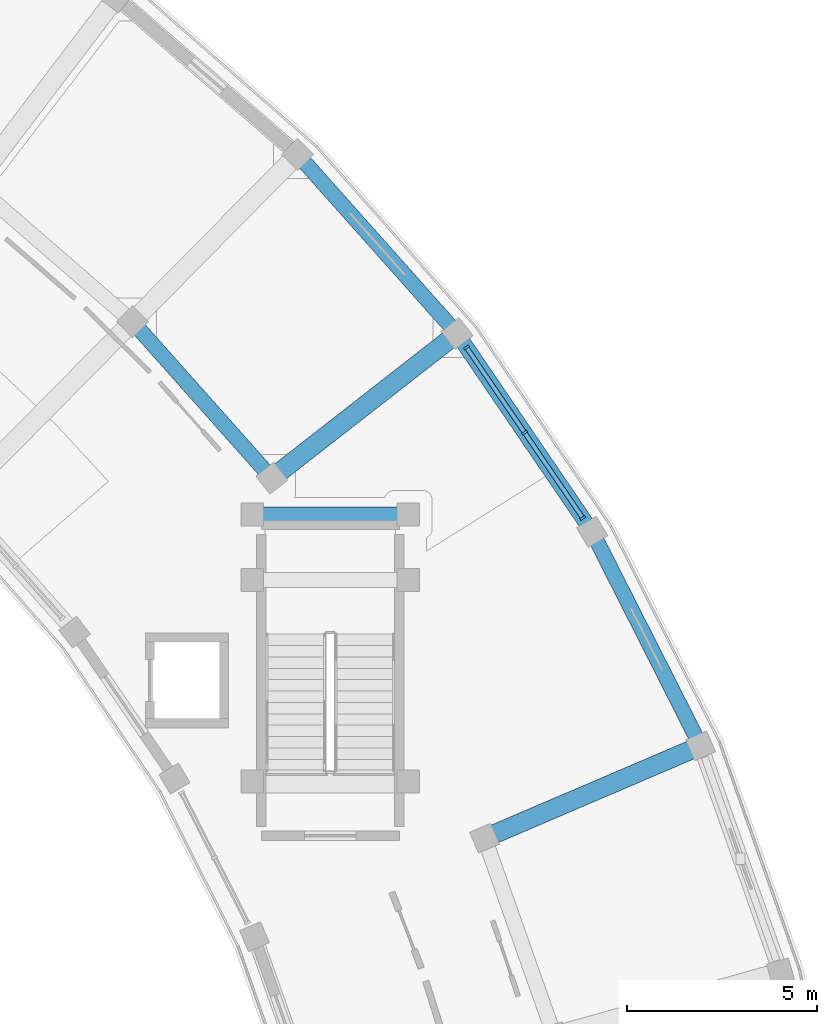
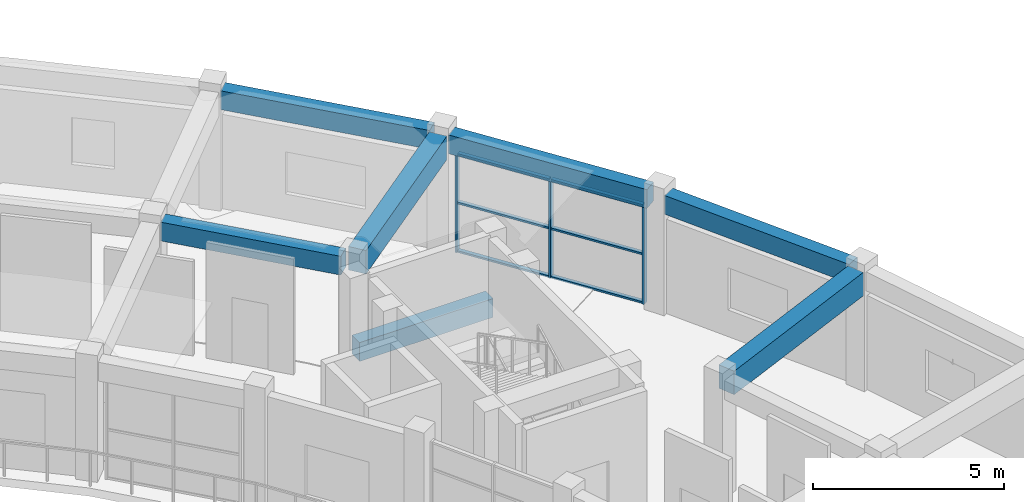
# One storey, part 26 of 53: 9 members, 7 beams, 1 element without a shape of its own.
"""IFC4 building model written with IfcOpenShell, lengths in metres."""

from ifc_helpers import new_model, si_unit, direction, frame, origin, origin_2d, place, context, subcontext, project, spatial, rectangle, extrude, material, material_profile, profile_set, type_object, element, aggregate, save


model = new_model("IFC4")

# Units and contexts
model_context = context("Model", 3, precision=1e-05, world=origin(), true_north=direction((0.0, 1.0)))
body_context = subcontext(model_context, "Body", "Model", "MODEL_VIEW")
ifc_project = project(units=[si_unit("LENGTHUNIT", "METRE"), si_unit("AREAUNIT", "SQUARE_METRE"), si_unit("VOLUMEUNIT", "CUBIC_METRE"), si_unit("PLANEANGLEUNIT", "RADIAN"), si_unit("MASSUNIT", "GRAM", prefix="KILO")], contexts=[model_context])

# Site, building, storey
site_placement = place(None, origin())
site = spatial("IfcSite", under=ifc_project, at=site_placement, CompositionType="ELEMENT")
building_placement = place(site_placement, origin())
building = spatial("IfcBuilding", under=site, at=building_placement, Name="Saryqyr Civic Hall", CompositionType="ELEMENT")
storey_placement = place(building_placement, frame((0.0, 0.0, 21.300048828125)))
storey = spatial("IfcBuildingStorey", under=building, at=storey_placement, Name="L05", CompositionType="ELEMENT", Elevation=21.300048828125)

# Curtain wall, members
ifc_material_1 = material(Name="Anodised aluminium and triple low-E glass", Category="aluminium")
curtain_wall_type = type_object("IfcCurtainWallType", Name="ENV-CW-STD-47", PredefinedType="NOTDEFINED", material=ifc_material_1)
curtain_wall_placement = place(storey_placement, origin())
curtain_wall = element("IfcCurtainWall", 1, at=curtain_wall_placement, inside=storey, type_object=curtain_wall_type, Name="Curtain wall V6-CWO-L05-04", PredefinedType="NOTDEFINED")
ifc_material_2 = material(Name="Anodised aluminium", Category="aluminium")
ifc_material_profile_1 = material_profile(ifc_material_2, rectangle(XDim=0.06005859375, YDim=0.159912109375, at=origin_2d()), Name="ALU MULLION 60x160")
ifc_profile_set_1 = profile_set([ifc_material_profile_1], Name="Anodised aluminium")
member_type_1 = type_object("IfcMemberType", Name="ENV-CW-MUL-180", PredefinedType="MULLION", material=ifc_profile_set_1)
member_1_placement = place(storey_placement, frame((95.874267578125, 113.785888671875, 0.0), z_axis=(0.0, 0.0, 1.0), x_axis=(0.563117564, -0.826376796089, 0.0)))
member_1 = element("IfcMember", 2, at=member_1_placement, type_object=member_type_1, Name="CW-47 mullion 1", PredefinedType="MULLION", context=body_context, shape_type="SweptSolid", body=[
    extrude(rectangle(XDim=0.06005859375, YDim=0.159912109375, at=origin_2d()), origin(), (0.0, 0.0, 1.0), 3.1650390625),
])
member_2_placement = place(storey_placement, frame((97.407470703125, 111.53564453125, 0.0), z_axis=(0.0, 0.0, 1.0), x_axis=(0.563117564, -0.826376796089, 0.0)))
member_2 = element("IfcMember", 3, at=member_2_placement, type_object=member_type_1, Name="CW-47 mullion 2", PredefinedType="MULLION", context=body_context, shape_type="SweptSolid", body=[
    extrude(rectangle(XDim=0.06005859375, YDim=0.159912109375, at=origin_2d()), origin(), (0.0, 0.0, 1.0), 3.1650390625),
])
member_3_placement = place(storey_placement, frame((98.94091796875, 109.28564453125, 0.0), z_axis=(0.0, 0.0, 1.0), x_axis=(0.563117564, -0.826376796089, 0.0)))
member_3 = element("IfcMember", 4, at=member_3_placement, type_object=member_type_1, Name="CW-47 mullion 3", PredefinedType="MULLION", context=body_context, shape_type="SweptSolid", body=[
    extrude(rectangle(XDim=0.06005859375, YDim=0.159912109375, at=origin_2d()), origin(), (0.0, 0.0, 1.0), 3.1650390625),
])
ifc_material_profile_2 = material_profile(ifc_material_2, rectangle(XDim=0.1201171875, YDim=0.06005859375, at=origin_2d()), Name="ALU TRANSOM 120x60")
ifc_profile_set_2 = profile_set([ifc_material_profile_2], Name="Anodised aluminium")
member_type_2 = type_object("IfcMemberType", Name="ENV-CW-TRN-150", PredefinedType="USERDEFINED", material=ifc_profile_set_2)
member_4_placement = place(storey_placement, frame((95.89111328125, 113.760986328125, 0.030029296875), z_axis=(0.563134814323, -0.826365040946, 0.0), x_axis=(0.826365040946, 0.563134814323, 0.0)))
member_4 = element("IfcMember", 5, at=member_4_placement, type_object=member_type_2, Name="CW-47 transom 1.1", ObjectType="TRANSOM", PredefinedType="USERDEFINED", context=body_context, shape_type="SweptSolid", body=[
    extrude(rectangle(XDim=0.1201171875, YDim=0.06005859375, at=origin_2d()), origin(), (0.0, 0.0, 1.0), 2.662841796875),
])
member_5_placement = place(storey_placement, frame((95.89111328125, 113.760986328125, 1.5830078125), z_axis=(0.563134814323, -0.826365040946, 0.0), x_axis=(0.826365040946, 0.563134814323, 0.0)))
member_5 = element("IfcMember", 6, at=member_5_placement, type_object=member_type_2, Name="CW-47 transom 1.2", ObjectType="TRANSOM", PredefinedType="USERDEFINED", context=body_context, shape_type="SweptSolid", body=[
    extrude(rectangle(XDim=0.1201171875, YDim=0.06005859375, at=origin_2d()), origin(), (0.0, 0.0, 1.0), 2.662841796875),
])
member_6_placement = place(storey_placement, frame((95.89111328125, 113.760986328125, 3.135009765625), z_axis=(0.563134814323, -0.826365040946, 0.0), x_axis=(0.826365040946, 0.563134814323, 0.0)))
member_6 = element("IfcMember", 7, at=member_6_placement, type_object=member_type_2, Name="CW-47 transom 1.3", ObjectType="TRANSOM", PredefinedType="USERDEFINED", context=body_context, shape_type="SweptSolid", body=[
    extrude(rectangle(XDim=0.1201171875, YDim=0.06005859375, at=origin_2d()), origin(), (0.0, 0.0, 1.0), 2.662841796875),
])
member_7_placement = place(storey_placement, frame((97.424560546875, 111.510986328125, 0.030029296875), z_axis=(0.563072199079, -0.826407707263, 0.0), x_axis=(0.826407707263, 0.563072199079, 0.0)))
member_7 = element("IfcMember", 8, at=member_7_placement, type_object=member_type_2, Name="CW-47 transom 2.1", ObjectType="TRANSOM", PredefinedType="USERDEFINED", context=body_context, shape_type="SweptSolid", body=[
    extrude(rectangle(XDim=0.1201171875, YDim=0.06005859375, at=origin_2d()), origin(), (0.0, 0.0, 1.0), 2.66259765625),
])
member_8_placement = place(storey_placement, frame((97.424560546875, 111.510986328125, 1.5830078125), z_axis=(0.563072199079, -0.826407707263, 0.0), x_axis=(0.826407707263, 0.563072199079, 0.0)))
member_8 = element("IfcMember", 9, at=member_8_placement, type_object=member_type_2, Name="CW-47 transom 2.2", ObjectType="TRANSOM", PredefinedType="USERDEFINED", context=body_context, shape_type="SweptSolid", body=[
    extrude(rectangle(XDim=0.1201171875, YDim=0.06005859375, at=origin_2d()), origin(), (0.0, 0.0, 1.0), 2.66259765625),
])
member_9_placement = place(storey_placement, frame((97.424560546875, 111.510986328125, 3.135009765625), z_axis=(0.563072199079, -0.826407707263, 0.0), x_axis=(0.826407707263, 0.563072199079, 0.0)))
member_9 = element("IfcMember", 10, at=member_9_placement, type_object=member_type_2, Name="CW-47 transom 2.3", ObjectType="TRANSOM", PredefinedType="USERDEFINED", context=body_context, shape_type="SweptSolid", body=[
    extrude(rectangle(XDim=0.1201171875, YDim=0.06005859375, at=origin_2d()), origin(), (0.0, 0.0, 1.0), 2.66259765625),
])
aggregate(curtain_wall, [member_1, member_2, member_3, member_4, member_5, member_6, member_7, member_8, member_9])

# Beams
ifc_material_3 = material(Name="Concrete C35/45", Category="concrete")
ifc_material_profile_3 = material_profile(ifc_material_3, rectangle(XDim=0.39990234375, YDim=0.60009765625, at=origin_2d()), Name="RC 400x600")
ifc_profile_set_3 = profile_set([ifc_material_profile_3], Name="Concrete C35/45")
beam_type_1 = type_object("IfcBeamType", Name="STR-BM-RC400x600", PredefinedType="BEAM", material=ifc_profile_set_3)
beam_1_placement = place(storey_placement, frame((90.555419921875, 110.541015625, 3.489990234375), z_axis=(-0.664939021665, 0.746897648589, 0.0), x_axis=(-0.746897648589, -0.664939021665, 0.0)))
element("IfcBeam", 11, at=beam_1_placement, inside=storey, type_object=beam_type_1, Name="Beam V6-CBM-MID05-L05", PredefinedType="BEAM", context=body_context, shape_type="SweptSolid", body=[
    extrude(rectangle(XDim=0.39990234375, YDim=0.60009765625, at=origin_2d()), origin(), (0.0, 0.0, 1.0), 4.9775390625),
])
beam_2_placement = place(storey_placement, frame((94.300048828125, 109.3798828125, 1.52490234375), z_axis=(-1.0, 0.0, 0.0), x_axis=(0.0, -1.0, 0.0)))
element("IfcBeam", 12, at=beam_2_placement, inside=storey, type_object=beam_type_1, Name="Stair half-landing support beam ST-6-LND2-L05", PredefinedType="BEAM", context=body_context, shape_type="SweptSolid", body=[
    extrude(rectangle(XDim=0.39990234375, YDim=0.60009765625, at=origin_2d()), origin(), (0.0, 0.0, 1.0), 4.0400390625),
])
ifc_material_profile_4 = material_profile(ifc_material_3, rectangle(XDim=0.39990234375, YDim=0.60009765625, at=origin_2d()), Name="RC 400x600")
ifc_profile_set_4 = profile_set([ifc_material_profile_4], Name="Concrete C35/45")
beam_type_2 = type_object("IfcBeamType", Name="STR-BM-RC400x600-EXT", PredefinedType="BEAM", material=ifc_profile_set_4)
for number, where, z_axis, x_axis, name in (
    (13, (101.925048828125, 103.52099609375, 3.489990234375), (-0.451922654691, 0.892057124952, 0.0), (-0.892057124952, -0.451922654691, 0.0), "Beam V6-CBM-OUT03-L05"),
    (14, (99.034423828125, 109.148193359375, 3.489990234375), (-0.563115242299, 0.82637837816, 0.0), (-0.82637837816, -0.563115242299, 0.0), "Beam V6-CBM-OUT04-L05"),
    (15, (95.44287109375, 114.35595703125, 3.489990234375), (-0.664935334845, 0.74690093083, 0.0), (-0.74690093083, -0.664935334845, 0.0), "Beam V6-CBM-OUT05-L05"),
):
    element("IfcBeam", number, at=place(storey_placement, frame(where, z_axis=z_axis, x_axis=x_axis)), inside=storey, type_object=beam_type_2, Name=name, PredefinedType="BEAM", context=body_context, shape_type="SweptSolid", body=[
        extrude(rectangle(XDim=0.39990234375, YDim=0.60009765625, at=origin_2d()), origin(), (0.0, 0.0, 1.0), 5.7783203125),
    ])
ifc_material_4 = material(Name="Concrete C40/50", Category="concrete")
ifc_material_profile_5 = material_profile(ifc_material_4, rectangle(XDim=0.5, YDim=0.75, at=origin_2d()), Name="RC 500x750")
ifc_profile_set_5 = profile_set([ifc_material_profile_5], Name="Concrete C40/50")
beam_type_3 = type_object("IfcBeamType", Name="STR-BM-RC500x750", PredefinedType="BEAM", material=ifc_profile_set_5)
for number, where, z_axis, x_axis, name in (
    (16, (96.60205078125, 100.94482421875, 3.4150390625), (0.919375077042, 0.393382088706, 0.0), (-0.393382088706, 0.919375077042, 0.0), "Beam V6-RBM-B03-L05"),
    (17, (90.955078125, 110.5048828125, 3.4150390625), (0.788283067243, 0.615312770791, 0.0), (-0.615312770791, 0.788283067243, 0.0), "Beam V6-RBM-B05-L05"),
):
    element("IfcBeam", number, at=place(storey_placement, frame(where, z_axis=z_axis, x_axis=x_axis)), inside=storey, type_object=beam_type_3, Name=name, PredefinedType="BEAM", context=body_context, shape_type="SweptSolid", body=[
        extrude(rectangle(XDim=0.5, YDim=0.75, at=origin_2d()), origin(), (0.0, 0.0, 1.0), 5.650146484375),
    ])

save(model, "model.ifc")
